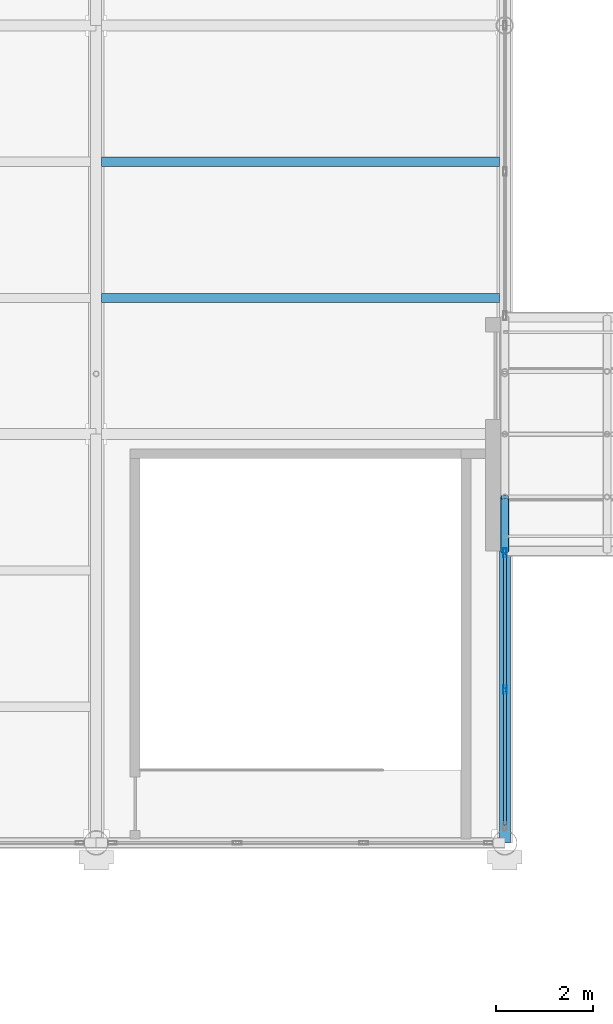
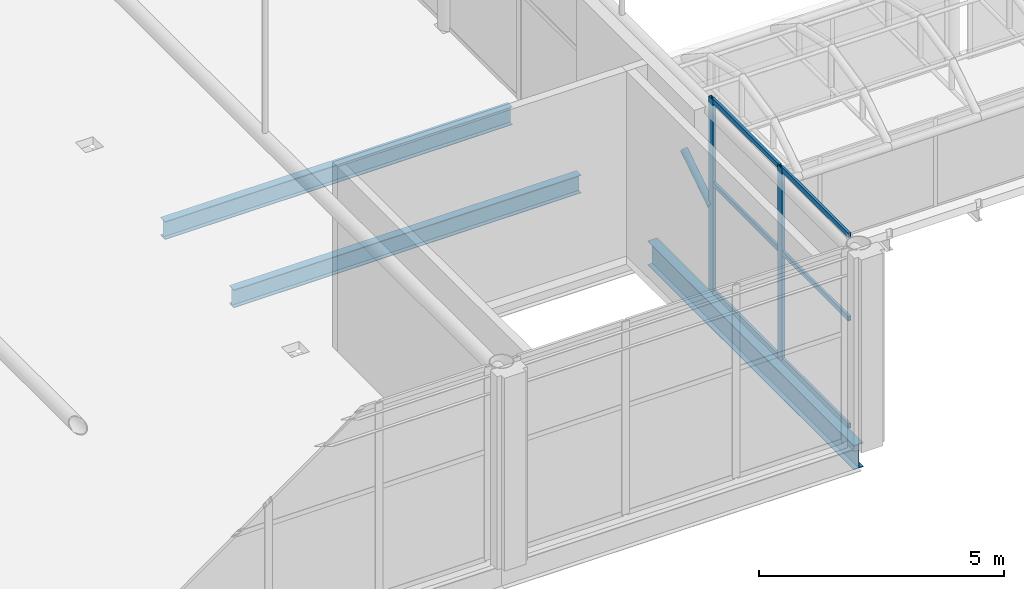
# One storey, part 33 of 167: 9 members, 3 beams, 1 element without a shape of its own.
"""IFC4 building model written with IfcOpenShell, lengths in metres."""

from ifc_helpers import new_model, si_unit, direction, frame, origin, origin_2d, place, context, subcontext, project, spatial, hollow_rectangle, hollow_circle, i_section, extrude, material, material_profile, profile_set, type_object, element, aggregate, save


model = new_model("IFC4")

# Units and contexts
model_context = context("Model", 3, precision=1e-05, world=origin(), true_north=direction((0.0, 1.0)))
body_context = subcontext(model_context, "Body", "Model", "MODEL_VIEW")
ifc_project = project(units=[si_unit("LENGTHUNIT", "METRE"), si_unit("AREAUNIT", "SQUARE_METRE"), si_unit("VOLUMEUNIT", "CUBIC_METRE"), si_unit("PLANEANGLEUNIT", "RADIAN"), si_unit("MASSUNIT", "GRAM", prefix="KILO")], contexts=[model_context])

# Site, building, storey
site_placement = place(None, origin())
site = spatial("IfcSite", under=ifc_project, at=site_placement, CompositionType="ELEMENT")
building_placement = place(site_placement, origin())
building = spatial("IfcBuilding", under=site, at=building_placement, Name="Catenary Quay Ferry Terminal", CompositionType="ELEMENT")
storey_placement = place(building_placement, frame((0.0, 0.0, 6.0)))
storey = spatial("IfcBuildingStorey", under=building, at=storey_placement, Name="L01", CompositionType="ELEMENT", Elevation=6.0)

# Beams
ifc_material_1 = material(Name="Steel S355", Category="steel")
ifc_material_profile_1 = material_profile(ifc_material_1, i_section(OverallWidth=0.2275390625, OverallDepth=0.6025390625, WebThickness=0.010498046875, FlangeThickness=0.014892578125, at=origin_2d()), Name="UB 610x229x101")
ifc_profile_set_1 = profile_set([ifc_material_profile_1], Name="Steel S355")
beam_type_1 = type_object("IfcBeamType", Name="B3 UB 610x229x101", PredefinedType="BEAM", material=ifc_profile_set_1)
beam_placement = place(storey_placement, frame((92.39990234375, 67.199951171875, -0.5009765625), z_axis=(0.0, 1.0, 0.0), x_axis=(-1.0, 0.0, 0.0)))
element("IfcBeam", 1, at=beam_placement, inside=storey, type_object=beam_type_1, Name="Beam B3-045", PredefinedType="BEAM", context=body_context, shape_type="SweptSolid", body=[
    extrude(i_section(OverallWidth=0.2275390625, OverallDepth=0.6025390625, WebThickness=0.010498046875, FlangeThickness=0.014892578125, at=origin_2d()), origin(), (0.0, 0.0, 1.0), 8.400146484375),
])
ifc_material_2 = material(Name="Steel S355", Category="steel")
ifc_material_profile_2 = material_profile(ifc_material_2, i_section(OverallWidth=0.18994140625, OverallDepth=0.449951171875, WebThickness=0.009521484375, FlangeThickness=0.0146484375, at=origin_2d()), Name="IPE 450")
ifc_profile_set_2 = profile_set([ifc_material_profile_2], Name="Steel S355")
beam_type_2 = type_object("IfcBeamType", Name="B4 IPE 450", PredefinedType="BEAM", material=ifc_profile_set_2)
for number, where, z_axis, x_axis, name in (
    (2, (84.114013671875, 78.39990234375, -0.425048828125), (1.0, 0.0, 0.0), (0.0, 1.0, 0.0), "Beam B4-008"),
    (3, (84.114013671875, 81.199951171875, -0.425048828125), (1.0, 0.0, 0.0), (0.0, 1.0, 0.0), "Beam B4-012"),
):
    element("IfcBeam", number, at=place(storey_placement, frame(where, z_axis=z_axis, x_axis=x_axis)), inside=storey, type_object=beam_type_2, Name=name, PredefinedType="BEAM", context=body_context, shape_type="SweptSolid", body=[
        extrude(i_section(OverallWidth=0.18994140625, OverallDepth=0.449951171875, WebThickness=0.009521484375, FlangeThickness=0.0146484375, at=origin_2d()), origin(), (0.0, 0.0, 1.0), 8.171875),
    ])

# Curtain wall, members
ifc_material_3 = material(Name="Aluminium and glass", Category="aluminium")
curtain_wall_type = type_object("IfcCurtainWallType", Name="CWM", PredefinedType="NOTDEFINED", material=ifc_material_3)
curtain_wall_placement = place(storey_placement, origin())
curtain_wall = element("IfcCurtainWall", 4, at=curtain_wall_placement, inside=storey, type_object=curtain_wall_type, Name="Gable arrivals hall curtain wall CW9", PredefinedType="NOTDEFINED")
ifc_material_4 = material(Name="Aluminium", Category="aluminium")
ifc_material_profile_3 = material_profile(ifc_material_4, hollow_rectangle(XDim=0.070068359375, YDim=0.179931640625, WallThickness=0.006103515625, at=origin_2d()), Name="MU3")
ifc_profile_set_3 = profile_set([ifc_material_profile_3], Name="Aluminium")
member_type_1 = type_object("IfcMemberType", Name="MU3", PredefinedType="MULLION", material=ifc_profile_set_3)
member_1_placement = place(storey_placement, frame((92.39990234375, 70.35009765625, 0.0), z_axis=(0.0, 0.0, 1.0), x_axis=(-1.0, 0.0, 0.0)))
member_1 = element("IfcMember", 5, at=member_1_placement, type_object=member_type_1, Name="CW9 mullion 2", PredefinedType="MULLION", context=body_context, shape_type="SweptSolid", body=[
    extrude(hollow_rectangle(XDim=0.070068359375, YDim=0.179931640625, WallThickness=0.006103515625, at=origin_2d()), origin(), (0.0, 0.0, 1.0), 4.800048828125),
])
member_2_placement = place(storey_placement, frame((92.39990234375, 73.1650390625, 0.0), z_axis=(0.0, 0.0, 1.0), x_axis=(-1.0, 0.0, 0.0)))
member_2 = element("IfcMember", 6, at=member_2_placement, type_object=member_type_1, Name="CW9 mullion 3", PredefinedType="MULLION", context=body_context, shape_type="SweptSolid", body=[
    extrude(hollow_rectangle(XDim=0.070068359375, YDim=0.179931640625, WallThickness=0.006103515625, at=origin_2d()), origin(), (0.0, 0.0, 1.0), 4.800048828125),
])
ifc_material_5 = material(Name="Aluminium", Category="aluminium")
ifc_material_profile_4 = material_profile(ifc_material_5, hollow_rectangle(XDim=0.06005859375, YDim=0.1201171875, WallThickness=0.0048828125, at=origin_2d()), Name="TR3")
ifc_profile_set_4 = profile_set([ifc_material_profile_4], Name="Aluminium")
member_type_2 = type_object("IfcMemberType", Name="TR3", PredefinedType="USERDEFINED", material=ifc_profile_set_4)
member_3_placement = place(storey_placement, frame((92.39990234375, 67.570068359375, 0.030029296875), z_axis=(0.0, 1.0, 0.0), x_axis=(-1.0, 0.0, 0.0)))
member_3 = element("IfcMember", 7, at=member_3_placement, type_object=member_type_2, Name="CW9 transom 1.1", ObjectType="TRANSOM", PredefinedType="USERDEFINED", context=body_context, shape_type="SweptSolid", body=[
    extrude(hollow_rectangle(XDim=0.06005859375, YDim=0.1201171875, WallThickness=0.0048828125, at=origin_2d()), origin(), (0.0, 0.0, 1.0), 2.744873046875),
])
member_4_placement = place(storey_placement, frame((92.39990234375, 67.570068359375, 2.699951171875), z_axis=(0.0, 1.0, 0.0), x_axis=(-1.0, 0.0, 0.0)))
member_4 = element("IfcMember", 8, at=member_4_placement, type_object=member_type_2, Name="CW9 transom 1.2", ObjectType="TRANSOM", PredefinedType="USERDEFINED", context=body_context, shape_type="SweptSolid", body=[
    extrude(hollow_rectangle(XDim=0.06005859375, YDim=0.1201171875, WallThickness=0.0048828125, at=origin_2d()), origin(), (0.0, 0.0, 1.0), 2.744873046875),
])
member_5_placement = place(storey_placement, frame((92.39990234375, 67.570068359375, 4.77001953125), z_axis=(0.0, 1.0, 0.0), x_axis=(-1.0, 0.0, 0.0)))
member_5 = element("IfcMember", 9, at=member_5_placement, type_object=member_type_2, Name="CW9 transom 1.3", ObjectType="TRANSOM", PredefinedType="USERDEFINED", context=body_context, shape_type="SweptSolid", body=[
    extrude(hollow_rectangle(XDim=0.06005859375, YDim=0.1201171875, WallThickness=0.0048828125, at=origin_2d()), origin(), (0.0, 0.0, 1.0), 2.744873046875),
])
member_6_placement = place(storey_placement, frame((92.39990234375, 70.385009765625, 0.030029296875), z_axis=(0.0, 1.0, 0.0), x_axis=(-1.0, 0.0, 0.0)))
member_6 = element("IfcMember", 10, at=member_6_placement, type_object=member_type_2, Name="CW9 transom 2.1", ObjectType="TRANSOM", PredefinedType="USERDEFINED", context=body_context, shape_type="SweptSolid", body=[
    extrude(hollow_rectangle(XDim=0.06005859375, YDim=0.1201171875, WallThickness=0.0048828125, at=origin_2d()), origin(), (0.0, 0.0, 1.0), 2.744873046875),
])
member_7_placement = place(storey_placement, frame((92.39990234375, 70.385009765625, 2.699951171875), z_axis=(0.0, 1.0, 0.0), x_axis=(-1.0, 0.0, 0.0)))
member_7 = element("IfcMember", 11, at=member_7_placement, type_object=member_type_2, Name="CW9 transom 2.2", ObjectType="TRANSOM", PredefinedType="USERDEFINED", context=body_context, shape_type="SweptSolid", body=[
    extrude(hollow_rectangle(XDim=0.06005859375, YDim=0.1201171875, WallThickness=0.0048828125, at=origin_2d()), origin(), (0.0, 0.0, 1.0), 2.744873046875),
])
member_8_placement = place(storey_placement, frame((92.39990234375, 70.385009765625, 4.77001953125), z_axis=(0.0, 1.0, 0.0), x_axis=(-1.0, 0.0, 0.0)))
member_8 = element("IfcMember", 12, at=member_8_placement, type_object=member_type_2, Name="CW9 transom 2.3", ObjectType="TRANSOM", PredefinedType="USERDEFINED", context=body_context, shape_type="SweptSolid", body=[
    extrude(hollow_rectangle(XDim=0.06005859375, YDim=0.1201171875, WallThickness=0.0048828125, at=origin_2d()), origin(), (0.0, 0.0, 1.0), 2.744873046875),
])
aggregate(curtain_wall, [member_1, member_2, member_3, member_4, member_5, member_6, member_7, member_8])

# Member
ifc_material_6 = material(Name="Steel S355", Category="steel")
ifc_material_profile_5 = material_profile(ifc_material_6, hollow_circle(Radius=0.084228515625, WallThickness=0.008056640625, at=origin_2d()), Name="CHS 168.3x8")
ifc_profile_set_5 = profile_set([ifc_material_profile_5], Name="Steel S355")
member_type_3 = type_object("IfcMemberType", Name="VR4 CHS 168.3x8", PredefinedType="RAFTER", material=ifc_profile_set_5)
member_9_placement = place(storey_placement, frame((92.39990234375, 73.199951171875, 2.10009765625), z_axis=(0.0, 0.838219928753, 0.545332330823), x_axis=(-1.0, 0.0, 0.0)))
element("IfcMember", 13, at=member_9_placement, inside=storey, type_object=member_type_3, Name="rib RB1-01-01", PredefinedType="RAFTER", context=body_context, shape_type="SweptSolid", body=[
    extrude(hollow_circle(Radius=0.084228515625, WallThickness=0.008056640625, at=origin_2d()), origin(), (0.0, 0.0, 1.0), 1.322021484375),
])

save(model, "model.ifc")
